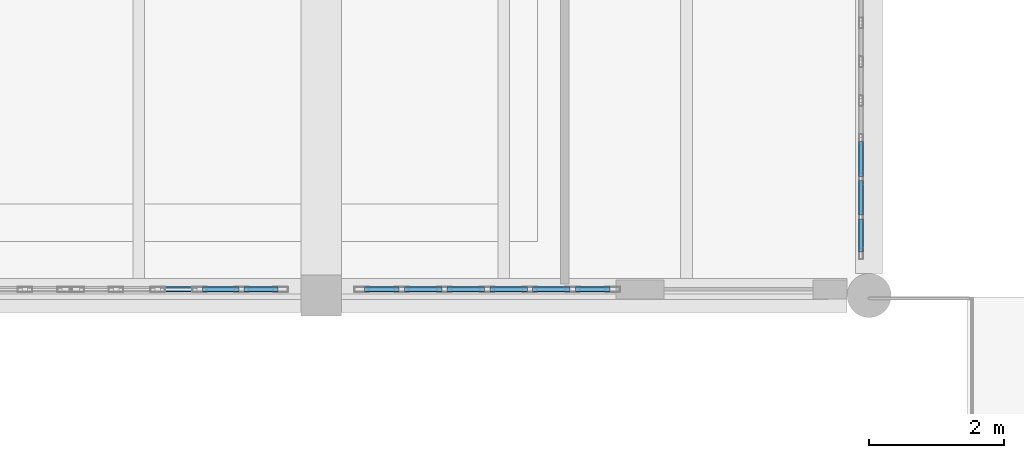
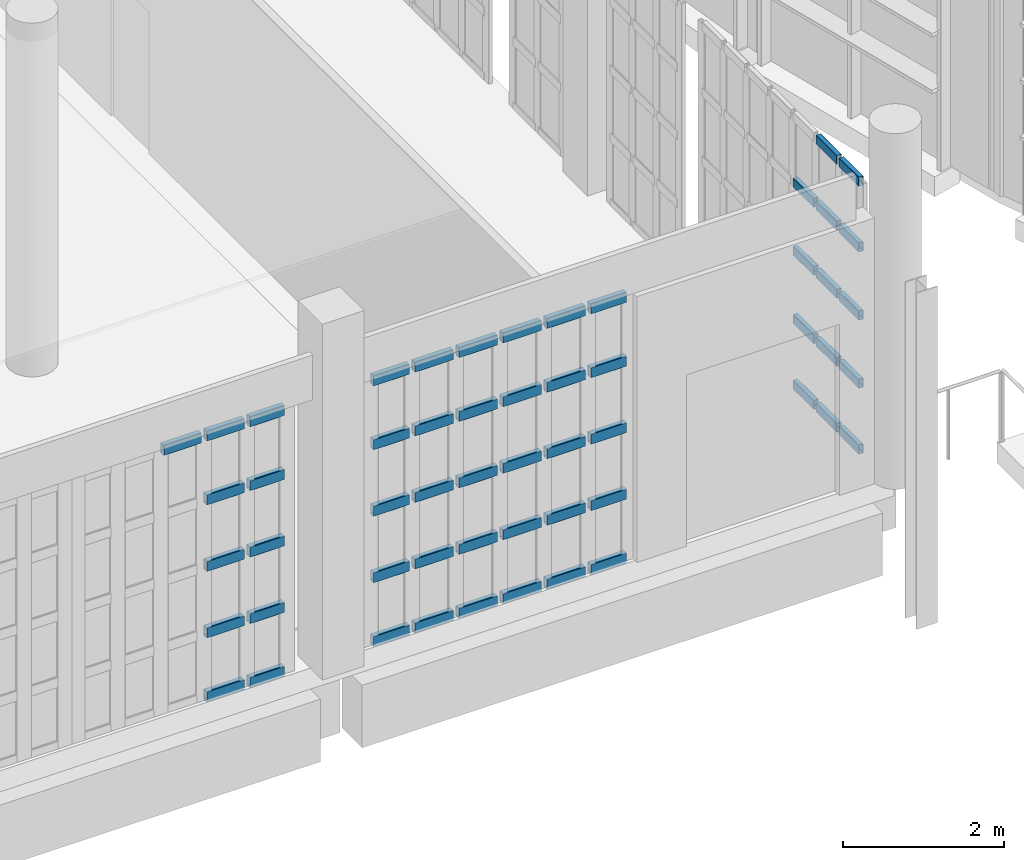
# One storey, part 301 of 372: 55 members, 3 elements without a shape of their own.
"""IFC4 building model written with IfcOpenShell, lengths in metres."""

from ifc_helpers import new_model, si_unit, direction, frame, origin, origin_2d, place, context, subcontext, project, spatial, hollow_rectangle, extrude, material, material_profile, profile_set, type_object, element, aggregate, save


model = new_model("IFC4")

# Units and contexts
model_context = context("Model", 3, precision=1e-05, world=origin(), true_north=direction((0.0, 1.0)))
body_context = subcontext(model_context, "Body", "Model", "MODEL_VIEW")
ifc_project = project(units=[si_unit("LENGTHUNIT", "METRE"), si_unit("AREAUNIT", "SQUARE_METRE"), si_unit("VOLUMEUNIT", "CUBIC_METRE"), si_unit("PLANEANGLEUNIT", "RADIAN"), si_unit("MASSUNIT", "GRAM", prefix="KILO")], contexts=[model_context])

# Site, building, storey
site_placement = place(None, origin())
site = spatial("IfcSite", under=ifc_project, at=site_placement, CompositionType="ELEMENT")
building_placement = place(site_placement, origin())
building = spatial("IfcBuilding", under=site, at=building_placement, Name="Kaelora Sail Theatre", CompositionType="ELEMENT")
storey_placement = place(building_placement, origin())
storey = spatial("IfcBuildingStorey", under=building, at=storey_placement, Name="L00", CompositionType="ELEMENT", Elevation=0.0)

# Curtain wall, members
ifc_material_1 = material(Name="Anodised aluminium and solar-control low-E IGU", Category="aluminium")
curtain_wall_type = type_object("IfcCurtainWallType", Name="ARC-CW-CW-FOY1", PredefinedType="NOTDEFINED", material=ifc_material_1)
curtain_wall_1_placement = place(storey_placement, origin())
curtain_wall_1 = element("IfcCurtainWall", 1, at=curtain_wall_1_placement, inside=storey, type_object=curtain_wall_type, Name="West Interstitial Foyer East Glazed Return L00-01", PredefinedType="NOTDEFINED")
ifc_material_2 = material(Name="Anodised aluminium 6063-T6", Category="aluminium")
ifc_material_profile_1 = material_profile(ifc_material_2, hollow_rectangle(XDim=0.070068359375, YDim=0.139892578125, WallThickness=0.00390625, InnerFilletRadius=0.00390625, OuterFilletRadius=0.008056640625, at=origin_2d()), Name="ALU-TRAN 70x140x4")
ifc_profile_set_1 = profile_set([ifc_material_profile_1], Name="Anodised aluminium 6063-T6")
member_type_1 = type_object("IfcMemberType", Name="ARC-MEM-TR-140", PredefinedType="USERDEFINED", material=ifc_profile_set_1)
member_1_placement = place(storey_placement, frame((74.280029296875, 39.344970703125, 0.034912109375), z_axis=(0.0, 1.0, 0.0), x_axis=(-1.0, 0.0, 0.0)))
member_1 = element("IfcMember", 2, at=member_1_placement, type_object=member_type_1, Name="CW-FOY1 transom 1.1", ObjectType="TRANSOM", PredefinedType="USERDEFINED", context=body_context, shape_type="SweptSolid", body=[
    extrude(hollow_rectangle(XDim=0.070068359375, YDim=0.139892578125, WallThickness=0.00390625, InnerFilletRadius=0.00390625, OuterFilletRadius=0.008056640625, at=origin_2d()), origin(), (0.0, 0.0, 1.0), 0.483642578125),
])
member_2_placement = place(storey_placement, frame((74.280029296875, 39.344970703125, 1.0341796875), z_axis=(0.0, 1.0, 0.0), x_axis=(-1.0, 0.0, 0.0)))
member_2 = element("IfcMember", 3, at=member_2_placement, type_object=member_type_1, Name="CW-FOY1 transom 1.2", ObjectType="TRANSOM", PredefinedType="USERDEFINED", context=body_context, shape_type="SweptSolid", body=[
    extrude(hollow_rectangle(XDim=0.070068359375, YDim=0.139892578125, WallThickness=0.00390625, InnerFilletRadius=0.00390625, OuterFilletRadius=0.008056640625, at=origin_2d()), origin(), (0.0, 0.0, 1.0), 0.483642578125),
])
member_3_placement = place(storey_placement, frame((74.280029296875, 39.344970703125, 2.068603515625), z_axis=(0.0, 1.0, 0.0), x_axis=(-1.0, 0.0, 0.0)))
member_3 = element("IfcMember", 4, at=member_3_placement, type_object=member_type_1, Name="CW-FOY1 transom 1.3", ObjectType="TRANSOM", PredefinedType="USERDEFINED", context=body_context, shape_type="SweptSolid", body=[
    extrude(hollow_rectangle(XDim=0.070068359375, YDim=0.139892578125, WallThickness=0.00390625, InnerFilletRadius=0.00390625, OuterFilletRadius=0.008056640625, at=origin_2d()), origin(), (0.0, 0.0, 1.0), 0.483642578125),
])
member_4_placement = place(storey_placement, frame((74.280029296875, 39.344970703125, 3.102783203125), z_axis=(0.0, 1.0, 0.0), x_axis=(-1.0, 0.0, 0.0)))
member_4 = element("IfcMember", 5, at=member_4_placement, type_object=member_type_1, Name="CW-FOY1 transom 1.4", ObjectType="TRANSOM", PredefinedType="USERDEFINED", context=body_context, shape_type="SweptSolid", body=[
    extrude(hollow_rectangle(XDim=0.070068359375, YDim=0.139892578125, WallThickness=0.00390625, InnerFilletRadius=0.00390625, OuterFilletRadius=0.008056640625, at=origin_2d()), origin(), (0.0, 0.0, 1.0), 0.483642578125),
])
member_5_placement = place(storey_placement, frame((74.280029296875, 39.344970703125, 4.10205078125), z_axis=(0.0, 1.0, 0.0), x_axis=(-1.0, 0.0, 0.0)))
member_5 = element("IfcMember", 6, at=member_5_placement, type_object=member_type_1, Name="CW-FOY1 transom 1.5", ObjectType="TRANSOM", PredefinedType="USERDEFINED", context=body_context, shape_type="SweptSolid", body=[
    extrude(hollow_rectangle(XDim=0.070068359375, YDim=0.139892578125, WallThickness=0.00390625, InnerFilletRadius=0.00390625, OuterFilletRadius=0.008056640625, at=origin_2d()), origin(), (0.0, 0.0, 1.0), 0.483642578125),
])
member_6_placement = place(storey_placement, frame((74.280029296875, 39.888671875, 0.034912109375), z_axis=(0.0, 1.0, 0.0), x_axis=(-1.0, 0.0, 0.0)))
member_6 = element("IfcMember", 7, at=member_6_placement, type_object=member_type_1, Name="CW-FOY1 transom 2.1", ObjectType="TRANSOM", PredefinedType="USERDEFINED", context=body_context, shape_type="SweptSolid", body=[
    extrude(hollow_rectangle(XDim=0.070068359375, YDim=0.139892578125, WallThickness=0.00390625, InnerFilletRadius=0.00390625, OuterFilletRadius=0.008056640625, at=origin_2d()), origin(), (0.0, 0.0, 1.0), 0.513427734375),
])
member_7_placement = place(storey_placement, frame((74.280029296875, 39.888671875, 1.0341796875), z_axis=(0.0, 1.0, 0.0), x_axis=(-1.0, 0.0, 0.0)))
member_7 = element("IfcMember", 8, at=member_7_placement, type_object=member_type_1, Name="CW-FOY1 transom 2.2", ObjectType="TRANSOM", PredefinedType="USERDEFINED", context=body_context, shape_type="SweptSolid", body=[
    extrude(hollow_rectangle(XDim=0.070068359375, YDim=0.139892578125, WallThickness=0.00390625, InnerFilletRadius=0.00390625, OuterFilletRadius=0.008056640625, at=origin_2d()), origin(), (0.0, 0.0, 1.0), 0.513427734375),
])
member_8_placement = place(storey_placement, frame((74.280029296875, 39.888671875, 2.068603515625), z_axis=(0.0, 1.0, 0.0), x_axis=(-1.0, 0.0, 0.0)))
member_8 = element("IfcMember", 9, at=member_8_placement, type_object=member_type_1, Name="CW-FOY1 transom 2.3", ObjectType="TRANSOM", PredefinedType="USERDEFINED", context=body_context, shape_type="SweptSolid", body=[
    extrude(hollow_rectangle(XDim=0.070068359375, YDim=0.139892578125, WallThickness=0.00390625, InnerFilletRadius=0.00390625, OuterFilletRadius=0.008056640625, at=origin_2d()), origin(), (0.0, 0.0, 1.0), 0.513427734375),
])
member_9_placement = place(storey_placement, frame((74.280029296875, 39.888671875, 3.102783203125), z_axis=(0.0, 1.0, 0.0), x_axis=(-1.0, 0.0, 0.0)))
member_9 = element("IfcMember", 10, at=member_9_placement, type_object=member_type_1, Name="CW-FOY1 transom 2.4", ObjectType="TRANSOM", PredefinedType="USERDEFINED", context=body_context, shape_type="SweptSolid", body=[
    extrude(hollow_rectangle(XDim=0.070068359375, YDim=0.139892578125, WallThickness=0.00390625, InnerFilletRadius=0.00390625, OuterFilletRadius=0.008056640625, at=origin_2d()), origin(), (0.0, 0.0, 1.0), 0.513427734375),
])
member_10_placement = place(storey_placement, frame((74.280029296875, 39.888671875, 4.10205078125), z_axis=(0.0, 1.0, 0.0), x_axis=(-1.0, 0.0, 0.0)))
member_10 = element("IfcMember", 11, at=member_10_placement, type_object=member_type_1, Name="CW-FOY1 transom 2.5", ObjectType="TRANSOM", PredefinedType="USERDEFINED", context=body_context, shape_type="SweptSolid", body=[
    extrude(hollow_rectangle(XDim=0.070068359375, YDim=0.139892578125, WallThickness=0.00390625, InnerFilletRadius=0.00390625, OuterFilletRadius=0.008056640625, at=origin_2d()), origin(), (0.0, 0.0, 1.0), 0.513427734375),
])
member_11_placement = place(storey_placement, frame((74.280029296875, 40.462158203125, 0.034912109375), z_axis=(0.0, 1.0, 0.0), x_axis=(-1.0, 0.0, 0.0)))
member_11 = element("IfcMember", 12, at=member_11_placement, type_object=member_type_1, Name="CW-FOY1 transom 3.1", ObjectType="TRANSOM", PredefinedType="USERDEFINED", context=body_context, shape_type="SweptSolid", body=[
    extrude(hollow_rectangle(XDim=0.070068359375, YDim=0.139892578125, WallThickness=0.00390625, InnerFilletRadius=0.00390625, OuterFilletRadius=0.008056640625, at=origin_2d()), origin(), (0.0, 0.0, 1.0), 0.513671875),
])
member_12_placement = place(storey_placement, frame((74.280029296875, 40.462158203125, 1.0341796875), z_axis=(0.0, 1.0, 0.0), x_axis=(-1.0, 0.0, 0.0)))
member_12 = element("IfcMember", 13, at=member_12_placement, type_object=member_type_1, Name="CW-FOY1 transom 3.2", ObjectType="TRANSOM", PredefinedType="USERDEFINED", context=body_context, shape_type="SweptSolid", body=[
    extrude(hollow_rectangle(XDim=0.070068359375, YDim=0.139892578125, WallThickness=0.00390625, InnerFilletRadius=0.00390625, OuterFilletRadius=0.008056640625, at=origin_2d()), origin(), (0.0, 0.0, 1.0), 0.513671875),
])
member_13_placement = place(storey_placement, frame((74.280029296875, 40.462158203125, 2.068603515625), z_axis=(0.0, 1.0, 0.0), x_axis=(-1.0, 0.0, 0.0)))
member_13 = element("IfcMember", 14, at=member_13_placement, type_object=member_type_1, Name="CW-FOY1 transom 3.3", ObjectType="TRANSOM", PredefinedType="USERDEFINED", context=body_context, shape_type="SweptSolid", body=[
    extrude(hollow_rectangle(XDim=0.070068359375, YDim=0.139892578125, WallThickness=0.00390625, InnerFilletRadius=0.00390625, OuterFilletRadius=0.008056640625, at=origin_2d()), origin(), (0.0, 0.0, 1.0), 0.513671875),
])
member_14_placement = place(storey_placement, frame((74.280029296875, 40.462158203125, 3.102783203125), z_axis=(0.0, 1.0, 0.0), x_axis=(-1.0, 0.0, 0.0)))
member_14 = element("IfcMember", 15, at=member_14_placement, type_object=member_type_1, Name="CW-FOY1 transom 3.4", ObjectType="TRANSOM", PredefinedType="USERDEFINED", context=body_context, shape_type="SweptSolid", body=[
    extrude(hollow_rectangle(XDim=0.070068359375, YDim=0.139892578125, WallThickness=0.00390625, InnerFilletRadius=0.00390625, OuterFilletRadius=0.008056640625, at=origin_2d()), origin(), (0.0, 0.0, 1.0), 0.513671875),
])
aggregate(curtain_wall_1, [member_1, member_2, member_3, member_4, member_5, member_6, member_7, member_8, member_9, member_10, member_11, member_12, member_13, member_14])

curtain_wall_2_placement = place(storey_placement, origin())
curtain_wall_2 = element("IfcCurtainWall", 16, at=curtain_wall_2_placement, inside=storey, type_object=curtain_wall_type, Name="West Interstitial Sail Foyer Curtain Wall L00-02", PredefinedType="NOTDEFINED")
ifc_material_3 = material(Name="Anodised aluminium 6063-T6", Category="aluminium")
ifc_material_profile_2 = material_profile(ifc_material_3, hollow_rectangle(XDim=0.080078125, YDim=0.159912109375, WallThickness=0.0048828125, InnerFilletRadius=0.0048828125, OuterFilletRadius=0.010009765625, at=origin_2d()), Name="ALU-TRAN 80x160x5")
ifc_profile_set_2 = profile_set([ifc_material_profile_2], Name="Anodised aluminium 6063-T6")
member_type_2 = type_object("IfcMemberType", Name="ARC-MEM-TR-160", PredefinedType="USERDEFINED", material=ifc_profile_set_2)
member_15_placement = place(storey_placement, frame((63.926025390625, 38.7900390625, 3.9970703125), z_axis=(1.0, 0.0, 0.0), x_axis=(0.0, 1.0, 0.0)))
member_15 = element("IfcMember", 17, at=member_15_placement, type_object=member_type_2, Name="CW-FOY1 transom 3.5", ObjectType="TRANSOM", PredefinedType="USERDEFINED", context=body_context, shape_type="SweptSolid", body=[
    extrude(hollow_rectangle(XDim=0.080078125, YDim=0.159912109375, WallThickness=0.0048828125, InnerFilletRadius=0.0048828125, OuterFilletRadius=0.010009765625, at=origin_2d()), origin(), (0.0, 0.0, 1.0), 0.5380859375),
])
member_16_placement = place(storey_placement, frame((64.5439453125, 38.7900390625, 0.0400390625), z_axis=(1.0, 0.0, 0.0), x_axis=(0.0, 1.0, 0.0)))
member_16 = element("IfcMember", 18, at=member_16_placement, type_object=member_type_2, Name="CW-FOY1 transom 4.1", ObjectType="TRANSOM", PredefinedType="USERDEFINED", context=body_context, shape_type="SweptSolid", body=[
    extrude(hollow_rectangle(XDim=0.080078125, YDim=0.159912109375, WallThickness=0.0048828125, InnerFilletRadius=0.0048828125, OuterFilletRadius=0.010009765625, at=origin_2d()), origin(), (0.0, 0.0, 1.0), 0.5380859375),
])
member_17_placement = place(storey_placement, frame((64.5439453125, 38.7900390625, 1.00927734375), z_axis=(1.0, 0.0, 0.0), x_axis=(0.0, 1.0, 0.0)))
member_17 = element("IfcMember", 19, at=member_17_placement, type_object=member_type_2, Name="CW-FOY1 transom 4.2", ObjectType="TRANSOM", PredefinedType="USERDEFINED", context=body_context, shape_type="SweptSolid", body=[
    extrude(hollow_rectangle(XDim=0.080078125, YDim=0.159912109375, WallThickness=0.0048828125, InnerFilletRadius=0.0048828125, OuterFilletRadius=0.010009765625, at=origin_2d()), origin(), (0.0, 0.0, 1.0), 0.5380859375),
])
member_18_placement = place(storey_placement, frame((64.5439453125, 38.7900390625, 2.0185546875), z_axis=(1.0, 0.0, 0.0), x_axis=(0.0, 1.0, 0.0)))
member_18 = element("IfcMember", 20, at=member_18_placement, type_object=member_type_2, Name="CW-FOY1 transom 4.3", ObjectType="TRANSOM", PredefinedType="USERDEFINED", context=body_context, shape_type="SweptSolid", body=[
    extrude(hollow_rectangle(XDim=0.080078125, YDim=0.159912109375, WallThickness=0.0048828125, InnerFilletRadius=0.0048828125, OuterFilletRadius=0.010009765625, at=origin_2d()), origin(), (0.0, 0.0, 1.0), 0.5380859375),
])
member_19_placement = place(storey_placement, frame((64.5439453125, 38.7900390625, 3.02783203125), z_axis=(1.0, 0.0, 0.0), x_axis=(0.0, 1.0, 0.0)))
member_19 = element("IfcMember", 21, at=member_19_placement, type_object=member_type_2, Name="CW-FOY1 transom 4.4", ObjectType="TRANSOM", PredefinedType="USERDEFINED", context=body_context, shape_type="SweptSolid", body=[
    extrude(hollow_rectangle(XDim=0.080078125, YDim=0.159912109375, WallThickness=0.0048828125, InnerFilletRadius=0.0048828125, OuterFilletRadius=0.010009765625, at=origin_2d()), origin(), (0.0, 0.0, 1.0), 0.5380859375),
])
member_20_placement = place(storey_placement, frame((64.5439453125, 38.7900390625, 3.9970703125), z_axis=(1.0, 0.0, 0.0), x_axis=(0.0, 1.0, 0.0)))
member_20 = element("IfcMember", 22, at=member_20_placement, type_object=member_type_2, Name="CW-FOY1 transom 4.5", ObjectType="TRANSOM", PredefinedType="USERDEFINED", context=body_context, shape_type="SweptSolid", body=[
    extrude(hollow_rectangle(XDim=0.080078125, YDim=0.159912109375, WallThickness=0.0048828125, InnerFilletRadius=0.0048828125, OuterFilletRadius=0.010009765625, at=origin_2d()), origin(), (0.0, 0.0, 1.0), 0.5380859375),
])
member_21_placement = place(storey_placement, frame((65.162109375, 38.7900390625, 0.0400390625), z_axis=(1.0, 0.0, 0.0), x_axis=(0.0, 1.0, 0.0)))
member_21 = element("IfcMember", 23, at=member_21_placement, type_object=member_type_2, Name="CW-FOY1 transom 5.1", ObjectType="TRANSOM", PredefinedType="USERDEFINED", context=body_context, shape_type="SweptSolid", body=[
    extrude(hollow_rectangle(XDim=0.080078125, YDim=0.159912109375, WallThickness=0.0048828125, InnerFilletRadius=0.0048828125, OuterFilletRadius=0.010009765625, at=origin_2d()), origin(), (0.0, 0.0, 1.0), 0.497802734375),
])
member_22_placement = place(storey_placement, frame((65.162109375, 38.7900390625, 1.00927734375), z_axis=(1.0, 0.0, 0.0), x_axis=(0.0, 1.0, 0.0)))
member_22 = element("IfcMember", 24, at=member_22_placement, type_object=member_type_2, Name="CW-FOY1 transom 5.2", ObjectType="TRANSOM", PredefinedType="USERDEFINED", context=body_context, shape_type="SweptSolid", body=[
    extrude(hollow_rectangle(XDim=0.080078125, YDim=0.159912109375, WallThickness=0.0048828125, InnerFilletRadius=0.0048828125, OuterFilletRadius=0.010009765625, at=origin_2d()), origin(), (0.0, 0.0, 1.0), 0.497802734375),
])
member_23_placement = place(storey_placement, frame((65.162109375, 38.7900390625, 2.0185546875), z_axis=(1.0, 0.0, 0.0), x_axis=(0.0, 1.0, 0.0)))
member_23 = element("IfcMember", 25, at=member_23_placement, type_object=member_type_2, Name="CW-FOY1 transom 5.3", ObjectType="TRANSOM", PredefinedType="USERDEFINED", context=body_context, shape_type="SweptSolid", body=[
    extrude(hollow_rectangle(XDim=0.080078125, YDim=0.159912109375, WallThickness=0.0048828125, InnerFilletRadius=0.0048828125, OuterFilletRadius=0.010009765625, at=origin_2d()), origin(), (0.0, 0.0, 1.0), 0.497802734375),
])
member_24_placement = place(storey_placement, frame((65.162109375, 38.7900390625, 3.02783203125), z_axis=(1.0, 0.0, 0.0), x_axis=(0.0, 1.0, 0.0)))
member_24 = element("IfcMember", 26, at=member_24_placement, type_object=member_type_2, Name="CW-FOY1 transom 5.4", ObjectType="TRANSOM", PredefinedType="USERDEFINED", context=body_context, shape_type="SweptSolid", body=[
    extrude(hollow_rectangle(XDim=0.080078125, YDim=0.159912109375, WallThickness=0.0048828125, InnerFilletRadius=0.0048828125, OuterFilletRadius=0.010009765625, at=origin_2d()), origin(), (0.0, 0.0, 1.0), 0.497802734375),
])
member_25_placement = place(storey_placement, frame((65.162109375, 38.7900390625, 3.9970703125), z_axis=(1.0, 0.0, 0.0), x_axis=(0.0, 1.0, 0.0)))
member_25 = element("IfcMember", 27, at=member_25_placement, type_object=member_type_2, Name="CW-FOY1 transom 5.5", ObjectType="TRANSOM", PredefinedType="USERDEFINED", context=body_context, shape_type="SweptSolid", body=[
    extrude(hollow_rectangle(XDim=0.080078125, YDim=0.159912109375, WallThickness=0.0048828125, InnerFilletRadius=0.0048828125, OuterFilletRadius=0.010009765625, at=origin_2d()), origin(), (0.0, 0.0, 1.0), 0.497802734375),
])
aggregate(curtain_wall_2, [member_15, member_16, member_17, member_18, member_19, member_20, member_21, member_22, member_23, member_24, member_25])

curtain_wall_3_placement = place(storey_placement, origin())
curtain_wall_3 = element("IfcCurtainWall", 28, at=curtain_wall_3_placement, inside=storey, type_object=curtain_wall_type, Name="West Interstitial Sail Foyer Curtain Wall L00-03", PredefinedType="NOTDEFINED")
member_26_placement = place(storey_placement, frame((66.93994140625, 38.7900390625, 0.0400390625), z_axis=(1.0, 0.0, 0.0), x_axis=(0.0, 1.0, 0.0)))
member_26 = element("IfcMember", 29, at=member_26_placement, type_object=member_type_2, Name="CW-FOY1 transom 1.1", ObjectType="TRANSOM", PredefinedType="USERDEFINED", context=body_context, shape_type="SweptSolid", body=[
    extrude(hollow_rectangle(XDim=0.080078125, YDim=0.159912109375, WallThickness=0.0048828125, InnerFilletRadius=0.0048828125, OuterFilletRadius=0.010009765625, at=origin_2d()), origin(), (0.0, 0.0, 1.0), 0.51171875),
])
member_27_placement = place(storey_placement, frame((66.93994140625, 38.7900390625, 1.00927734375), z_axis=(1.0, 0.0, 0.0), x_axis=(0.0, 1.0, 0.0)))
member_27 = element("IfcMember", 30, at=member_27_placement, type_object=member_type_2, Name="CW-FOY1 transom 1.2", ObjectType="TRANSOM", PredefinedType="USERDEFINED", context=body_context, shape_type="SweptSolid", body=[
    extrude(hollow_rectangle(XDim=0.080078125, YDim=0.159912109375, WallThickness=0.0048828125, InnerFilletRadius=0.0048828125, OuterFilletRadius=0.010009765625, at=origin_2d()), origin(), (0.0, 0.0, 1.0), 0.51171875),
])
member_28_placement = place(storey_placement, frame((66.93994140625, 38.7900390625, 2.0185546875), z_axis=(1.0, 0.0, 0.0), x_axis=(0.0, 1.0, 0.0)))
member_28 = element("IfcMember", 31, at=member_28_placement, type_object=member_type_2, Name="CW-FOY1 transom 1.3", ObjectType="TRANSOM", PredefinedType="USERDEFINED", context=body_context, shape_type="SweptSolid", body=[
    extrude(hollow_rectangle(XDim=0.080078125, YDim=0.159912109375, WallThickness=0.0048828125, InnerFilletRadius=0.0048828125, OuterFilletRadius=0.010009765625, at=origin_2d()), origin(), (0.0, 0.0, 1.0), 0.51171875),
])
member_29_placement = place(storey_placement, frame((66.93994140625, 38.7900390625, 3.02783203125), z_axis=(1.0, 0.0, 0.0), x_axis=(0.0, 1.0, 0.0)))
member_29 = element("IfcMember", 32, at=member_29_placement, type_object=member_type_2, Name="CW-FOY1 transom 1.4", ObjectType="TRANSOM", PredefinedType="USERDEFINED", context=body_context, shape_type="SweptSolid", body=[
    extrude(hollow_rectangle(XDim=0.080078125, YDim=0.159912109375, WallThickness=0.0048828125, InnerFilletRadius=0.0048828125, OuterFilletRadius=0.010009765625, at=origin_2d()), origin(), (0.0, 0.0, 1.0), 0.51171875),
])
member_30_placement = place(storey_placement, frame((66.93994140625, 38.7900390625, 3.9970703125), z_axis=(1.0, 0.0, 0.0), x_axis=(0.0, 1.0, 0.0)))
member_30 = element("IfcMember", 33, at=member_30_placement, type_object=member_type_2, Name="CW-FOY1 transom 1.5", ObjectType="TRANSOM", PredefinedType="USERDEFINED", context=body_context, shape_type="SweptSolid", body=[
    extrude(hollow_rectangle(XDim=0.080078125, YDim=0.159912109375, WallThickness=0.0048828125, InnerFilletRadius=0.0048828125, OuterFilletRadius=0.010009765625, at=origin_2d()), origin(), (0.0, 0.0, 1.0), 0.51171875),
])
member_31_placement = place(storey_placement, frame((67.53173828125, 38.7900390625, 0.0400390625), z_axis=(1.0, 0.0, 0.0), x_axis=(0.0, 1.0, 0.0)))
member_31 = element("IfcMember", 34, at=member_31_placement, type_object=member_type_2, Name="CW-FOY1 transom 2.1", ObjectType="TRANSOM", PredefinedType="USERDEFINED", context=body_context, shape_type="SweptSolid", body=[
    extrude(hollow_rectangle(XDim=0.080078125, YDim=0.159912109375, WallThickness=0.0048828125, InnerFilletRadius=0.0048828125, OuterFilletRadius=0.010009765625, at=origin_2d()), origin(), (0.0, 0.0, 1.0), 0.551513671875),
])
member_32_placement = place(storey_placement, frame((67.53173828125, 38.7900390625, 1.00927734375), z_axis=(1.0, 0.0, 0.0), x_axis=(0.0, 1.0, 0.0)))
member_32 = element("IfcMember", 35, at=member_32_placement, type_object=member_type_2, Name="CW-FOY1 transom 2.2", ObjectType="TRANSOM", PredefinedType="USERDEFINED", context=body_context, shape_type="SweptSolid", body=[
    extrude(hollow_rectangle(XDim=0.080078125, YDim=0.159912109375, WallThickness=0.0048828125, InnerFilletRadius=0.0048828125, OuterFilletRadius=0.010009765625, at=origin_2d()), origin(), (0.0, 0.0, 1.0), 0.551513671875),
])
member_33_placement = place(storey_placement, frame((67.53173828125, 38.7900390625, 2.0185546875), z_axis=(1.0, 0.0, 0.0), x_axis=(0.0, 1.0, 0.0)))
member_33 = element("IfcMember", 36, at=member_33_placement, type_object=member_type_2, Name="CW-FOY1 transom 2.3", ObjectType="TRANSOM", PredefinedType="USERDEFINED", context=body_context, shape_type="SweptSolid", body=[
    extrude(hollow_rectangle(XDim=0.080078125, YDim=0.159912109375, WallThickness=0.0048828125, InnerFilletRadius=0.0048828125, OuterFilletRadius=0.010009765625, at=origin_2d()), origin(), (0.0, 0.0, 1.0), 0.551513671875),
])
member_34_placement = place(storey_placement, frame((67.53173828125, 38.7900390625, 3.02783203125), z_axis=(1.0, 0.0, 0.0), x_axis=(0.0, 1.0, 0.0)))
member_34 = element("IfcMember", 37, at=member_34_placement, type_object=member_type_2, Name="CW-FOY1 transom 2.4", ObjectType="TRANSOM", PredefinedType="USERDEFINED", context=body_context, shape_type="SweptSolid", body=[
    extrude(hollow_rectangle(XDim=0.080078125, YDim=0.159912109375, WallThickness=0.0048828125, InnerFilletRadius=0.0048828125, OuterFilletRadius=0.010009765625, at=origin_2d()), origin(), (0.0, 0.0, 1.0), 0.551513671875),
])
member_35_placement = place(storey_placement, frame((67.53173828125, 38.7900390625, 3.9970703125), z_axis=(1.0, 0.0, 0.0), x_axis=(0.0, 1.0, 0.0)))
member_35 = element("IfcMember", 38, at=member_35_placement, type_object=member_type_2, Name="CW-FOY1 transom 2.5", ObjectType="TRANSOM", PredefinedType="USERDEFINED", context=body_context, shape_type="SweptSolid", body=[
    extrude(hollow_rectangle(XDim=0.080078125, YDim=0.159912109375, WallThickness=0.0048828125, InnerFilletRadius=0.0048828125, OuterFilletRadius=0.010009765625, at=origin_2d()), origin(), (0.0, 0.0, 1.0), 0.551513671875),
])
member_36_placement = place(storey_placement, frame((68.163330078125, 38.7900390625, 0.0400390625), z_axis=(1.0, 0.0, 0.0), x_axis=(0.0, 1.0, 0.0)))
member_36 = element("IfcMember", 39, at=member_36_placement, type_object=member_type_2, Name="CW-FOY1 transom 3.1", ObjectType="TRANSOM", PredefinedType="USERDEFINED", context=body_context, shape_type="SweptSolid", body=[
    extrude(hollow_rectangle(XDim=0.080078125, YDim=0.159912109375, WallThickness=0.0048828125, InnerFilletRadius=0.0048828125, OuterFilletRadius=0.010009765625, at=origin_2d()), origin(), (0.0, 0.0, 1.0), 0.5517578125),
])
member_37_placement = place(storey_placement, frame((68.163330078125, 38.7900390625, 1.00927734375), z_axis=(1.0, 0.0, 0.0), x_axis=(0.0, 1.0, 0.0)))
member_37 = element("IfcMember", 40, at=member_37_placement, type_object=member_type_2, Name="CW-FOY1 transom 3.2", ObjectType="TRANSOM", PredefinedType="USERDEFINED", context=body_context, shape_type="SweptSolid", body=[
    extrude(hollow_rectangle(XDim=0.080078125, YDim=0.159912109375, WallThickness=0.0048828125, InnerFilletRadius=0.0048828125, OuterFilletRadius=0.010009765625, at=origin_2d()), origin(), (0.0, 0.0, 1.0), 0.5517578125),
])
member_38_placement = place(storey_placement, frame((68.163330078125, 38.7900390625, 2.0185546875), z_axis=(1.0, 0.0, 0.0), x_axis=(0.0, 1.0, 0.0)))
member_38 = element("IfcMember", 41, at=member_38_placement, type_object=member_type_2, Name="CW-FOY1 transom 3.3", ObjectType="TRANSOM", PredefinedType="USERDEFINED", context=body_context, shape_type="SweptSolid", body=[
    extrude(hollow_rectangle(XDim=0.080078125, YDim=0.159912109375, WallThickness=0.0048828125, InnerFilletRadius=0.0048828125, OuterFilletRadius=0.010009765625, at=origin_2d()), origin(), (0.0, 0.0, 1.0), 0.5517578125),
])
member_39_placement = place(storey_placement, frame((68.163330078125, 38.7900390625, 3.02783203125), z_axis=(1.0, 0.0, 0.0), x_axis=(0.0, 1.0, 0.0)))
member_39 = element("IfcMember", 42, at=member_39_placement, type_object=member_type_2, Name="CW-FOY1 transom 3.4", ObjectType="TRANSOM", PredefinedType="USERDEFINED", context=body_context, shape_type="SweptSolid", body=[
    extrude(hollow_rectangle(XDim=0.080078125, YDim=0.159912109375, WallThickness=0.0048828125, InnerFilletRadius=0.0048828125, OuterFilletRadius=0.010009765625, at=origin_2d()), origin(), (0.0, 0.0, 1.0), 0.5517578125),
])
member_40_placement = place(storey_placement, frame((68.163330078125, 38.7900390625, 3.9970703125), z_axis=(1.0, 0.0, 0.0), x_axis=(0.0, 1.0, 0.0)))
member_40 = element("IfcMember", 43, at=member_40_placement, type_object=member_type_2, Name="CW-FOY1 transom 3.5", ObjectType="TRANSOM", PredefinedType="USERDEFINED", context=body_context, shape_type="SweptSolid", body=[
    extrude(hollow_rectangle(XDim=0.080078125, YDim=0.159912109375, WallThickness=0.0048828125, InnerFilletRadius=0.0048828125, OuterFilletRadius=0.010009765625, at=origin_2d()), origin(), (0.0, 0.0, 1.0), 0.5517578125),
])
member_41_placement = place(storey_placement, frame((68.794921875, 38.7900390625, 0.0400390625), z_axis=(1.0, 0.0, 0.0), x_axis=(0.0, 1.0, 0.0)))
member_41 = element("IfcMember", 44, at=member_41_placement, type_object=member_type_2, Name="CW-FOY1 transom 4.1", ObjectType="TRANSOM", PredefinedType="USERDEFINED", context=body_context, shape_type="SweptSolid", body=[
    extrude(hollow_rectangle(XDim=0.080078125, YDim=0.159912109375, WallThickness=0.0048828125, InnerFilletRadius=0.0048828125, OuterFilletRadius=0.010009765625, at=origin_2d()), origin(), (0.0, 0.0, 1.0), 0.5517578125),
])
member_42_placement = place(storey_placement, frame((68.794921875, 38.7900390625, 1.00927734375), z_axis=(1.0, 0.0, 0.0), x_axis=(0.0, 1.0, 0.0)))
member_42 = element("IfcMember", 45, at=member_42_placement, type_object=member_type_2, Name="CW-FOY1 transom 4.2", ObjectType="TRANSOM", PredefinedType="USERDEFINED", context=body_context, shape_type="SweptSolid", body=[
    extrude(hollow_rectangle(XDim=0.080078125, YDim=0.159912109375, WallThickness=0.0048828125, InnerFilletRadius=0.0048828125, OuterFilletRadius=0.010009765625, at=origin_2d()), origin(), (0.0, 0.0, 1.0), 0.5517578125),
])
member_43_placement = place(storey_placement, frame((68.794921875, 38.7900390625, 2.0185546875), z_axis=(1.0, 0.0, 0.0), x_axis=(0.0, 1.0, 0.0)))
member_43 = element("IfcMember", 46, at=member_43_placement, type_object=member_type_2, Name="CW-FOY1 transom 4.3", ObjectType="TRANSOM", PredefinedType="USERDEFINED", context=body_context, shape_type="SweptSolid", body=[
    extrude(hollow_rectangle(XDim=0.080078125, YDim=0.159912109375, WallThickness=0.0048828125, InnerFilletRadius=0.0048828125, OuterFilletRadius=0.010009765625, at=origin_2d()), origin(), (0.0, 0.0, 1.0), 0.5517578125),
])
member_44_placement = place(storey_placement, frame((68.794921875, 38.7900390625, 3.02783203125), z_axis=(1.0, 0.0, 0.0), x_axis=(0.0, 1.0, 0.0)))
member_44 = element("IfcMember", 47, at=member_44_placement, type_object=member_type_2, Name="CW-FOY1 transom 4.4", ObjectType="TRANSOM", PredefinedType="USERDEFINED", context=body_context, shape_type="SweptSolid", body=[
    extrude(hollow_rectangle(XDim=0.080078125, YDim=0.159912109375, WallThickness=0.0048828125, InnerFilletRadius=0.0048828125, OuterFilletRadius=0.010009765625, at=origin_2d()), origin(), (0.0, 0.0, 1.0), 0.5517578125),
])
member_45_placement = place(storey_placement, frame((68.794921875, 38.7900390625, 3.9970703125), z_axis=(1.0, 0.0, 0.0), x_axis=(0.0, 1.0, 0.0)))
member_45 = element("IfcMember", 48, at=member_45_placement, type_object=member_type_2, Name="CW-FOY1 transom 4.5", ObjectType="TRANSOM", PredefinedType="USERDEFINED", context=body_context, shape_type="SweptSolid", body=[
    extrude(hollow_rectangle(XDim=0.080078125, YDim=0.159912109375, WallThickness=0.0048828125, InnerFilletRadius=0.0048828125, OuterFilletRadius=0.010009765625, at=origin_2d()), origin(), (0.0, 0.0, 1.0), 0.5517578125),
])
member_46_placement = place(storey_placement, frame((69.4267578125, 38.7900390625, 0.0400390625), z_axis=(1.0, 0.0, 0.0), x_axis=(0.0, 1.0, 0.0)))
member_46 = element("IfcMember", 49, at=member_46_placement, type_object=member_type_2, Name="CW-FOY1 transom 5.1", ObjectType="TRANSOM", PredefinedType="USERDEFINED", context=body_context, shape_type="SweptSolid", body=[
    extrude(hollow_rectangle(XDim=0.080078125, YDim=0.159912109375, WallThickness=0.0048828125, InnerFilletRadius=0.0048828125, OuterFilletRadius=0.010009765625, at=origin_2d()), origin(), (0.0, 0.0, 1.0), 0.551513671875),
])
member_47_placement = place(storey_placement, frame((69.4267578125, 38.7900390625, 1.00927734375), z_axis=(1.0, 0.0, 0.0), x_axis=(0.0, 1.0, 0.0)))
member_47 = element("IfcMember", 50, at=member_47_placement, type_object=member_type_2, Name="CW-FOY1 transom 5.2", ObjectType="TRANSOM", PredefinedType="USERDEFINED", context=body_context, shape_type="SweptSolid", body=[
    extrude(hollow_rectangle(XDim=0.080078125, YDim=0.159912109375, WallThickness=0.0048828125, InnerFilletRadius=0.0048828125, OuterFilletRadius=0.010009765625, at=origin_2d()), origin(), (0.0, 0.0, 1.0), 0.551513671875),
])
member_48_placement = place(storey_placement, frame((69.4267578125, 38.7900390625, 2.0185546875), z_axis=(1.0, 0.0, 0.0), x_axis=(0.0, 1.0, 0.0)))
member_48 = element("IfcMember", 51, at=member_48_placement, type_object=member_type_2, Name="CW-FOY1 transom 5.3", ObjectType="TRANSOM", PredefinedType="USERDEFINED", context=body_context, shape_type="SweptSolid", body=[
    extrude(hollow_rectangle(XDim=0.080078125, YDim=0.159912109375, WallThickness=0.0048828125, InnerFilletRadius=0.0048828125, OuterFilletRadius=0.010009765625, at=origin_2d()), origin(), (0.0, 0.0, 1.0), 0.551513671875),
])
member_49_placement = place(storey_placement, frame((69.4267578125, 38.7900390625, 3.02783203125), z_axis=(1.0, 0.0, 0.0), x_axis=(0.0, 1.0, 0.0)))
member_49 = element("IfcMember", 52, at=member_49_placement, type_object=member_type_2, Name="CW-FOY1 transom 5.4", ObjectType="TRANSOM", PredefinedType="USERDEFINED", context=body_context, shape_type="SweptSolid", body=[
    extrude(hollow_rectangle(XDim=0.080078125, YDim=0.159912109375, WallThickness=0.0048828125, InnerFilletRadius=0.0048828125, OuterFilletRadius=0.010009765625, at=origin_2d()), origin(), (0.0, 0.0, 1.0), 0.551513671875),
])
member_50_placement = place(storey_placement, frame((69.4267578125, 38.7900390625, 3.9970703125), z_axis=(1.0, 0.0, 0.0), x_axis=(0.0, 1.0, 0.0)))
member_50 = element("IfcMember", 53, at=member_50_placement, type_object=member_type_2, Name="CW-FOY1 transom 5.5", ObjectType="TRANSOM", PredefinedType="USERDEFINED", context=body_context, shape_type="SweptSolid", body=[
    extrude(hollow_rectangle(XDim=0.080078125, YDim=0.159912109375, WallThickness=0.0048828125, InnerFilletRadius=0.0048828125, OuterFilletRadius=0.010009765625, at=origin_2d()), origin(), (0.0, 0.0, 1.0), 0.551513671875),
])
member_51_placement = place(storey_placement, frame((70.058349609375, 38.7900390625, 0.0400390625), z_axis=(1.0, 0.0, 0.0), x_axis=(0.0, 1.0, 0.0)))
member_51 = element("IfcMember", 54, at=member_51_placement, type_object=member_type_2, Name="CW-FOY1 transom 6.1", ObjectType="TRANSOM", PredefinedType="USERDEFINED", context=body_context, shape_type="SweptSolid", body=[
    extrude(hollow_rectangle(XDim=0.080078125, YDim=0.159912109375, WallThickness=0.0048828125, InnerFilletRadius=0.0048828125, OuterFilletRadius=0.010009765625, at=origin_2d()), origin(), (0.0, 0.0, 1.0), 0.51171875),
])
member_52_placement = place(storey_placement, frame((70.058349609375, 38.7900390625, 1.00927734375), z_axis=(1.0, 0.0, 0.0), x_axis=(0.0, 1.0, 0.0)))
member_52 = element("IfcMember", 55, at=member_52_placement, type_object=member_type_2, Name="CW-FOY1 transom 6.2", ObjectType="TRANSOM", PredefinedType="USERDEFINED", context=body_context, shape_type="SweptSolid", body=[
    extrude(hollow_rectangle(XDim=0.080078125, YDim=0.159912109375, WallThickness=0.0048828125, InnerFilletRadius=0.0048828125, OuterFilletRadius=0.010009765625, at=origin_2d()), origin(), (0.0, 0.0, 1.0), 0.51171875),
])
member_53_placement = place(storey_placement, frame((70.058349609375, 38.7900390625, 2.0185546875), z_axis=(1.0, 0.0, 0.0), x_axis=(0.0, 1.0, 0.0)))
member_53 = element("IfcMember", 56, at=member_53_placement, type_object=member_type_2, Name="CW-FOY1 transom 6.3", ObjectType="TRANSOM", PredefinedType="USERDEFINED", context=body_context, shape_type="SweptSolid", body=[
    extrude(hollow_rectangle(XDim=0.080078125, YDim=0.159912109375, WallThickness=0.0048828125, InnerFilletRadius=0.0048828125, OuterFilletRadius=0.010009765625, at=origin_2d()), origin(), (0.0, 0.0, 1.0), 0.51171875),
])
member_54_placement = place(storey_placement, frame((70.058349609375, 38.7900390625, 3.02783203125), z_axis=(1.0, 0.0, 0.0), x_axis=(0.0, 1.0, 0.0)))
member_54 = element("IfcMember", 57, at=member_54_placement, type_object=member_type_2, Name="CW-FOY1 transom 6.4", ObjectType="TRANSOM", PredefinedType="USERDEFINED", context=body_context, shape_type="SweptSolid", body=[
    extrude(hollow_rectangle(XDim=0.080078125, YDim=0.159912109375, WallThickness=0.0048828125, InnerFilletRadius=0.0048828125, OuterFilletRadius=0.010009765625, at=origin_2d()), origin(), (0.0, 0.0, 1.0), 0.51171875),
])
member_55_placement = place(storey_placement, frame((70.058349609375, 38.7900390625, 3.9970703125), z_axis=(1.0, 0.0, 0.0), x_axis=(0.0, 1.0, 0.0)))
member_55 = element("IfcMember", 58, at=member_55_placement, type_object=member_type_2, Name="CW-FOY1 transom 6.5", ObjectType="TRANSOM", PredefinedType="USERDEFINED", context=body_context, shape_type="SweptSolid", body=[
    extrude(hollow_rectangle(XDim=0.080078125, YDim=0.159912109375, WallThickness=0.0048828125, InnerFilletRadius=0.0048828125, OuterFilletRadius=0.010009765625, at=origin_2d()), origin(), (0.0, 0.0, 1.0), 0.51171875),
])
aggregate(curtain_wall_3, [member_26, member_27, member_28, member_29, member_30, member_31, member_32, member_33, member_34, member_35, member_36, member_37, member_38, member_39, member_40, member_41, member_42, member_43, member_44, member_45, member_46, member_47, member_48, member_49, member_50, member_51, member_52, member_53, member_54, member_55])

save(model, "model.ifc")
